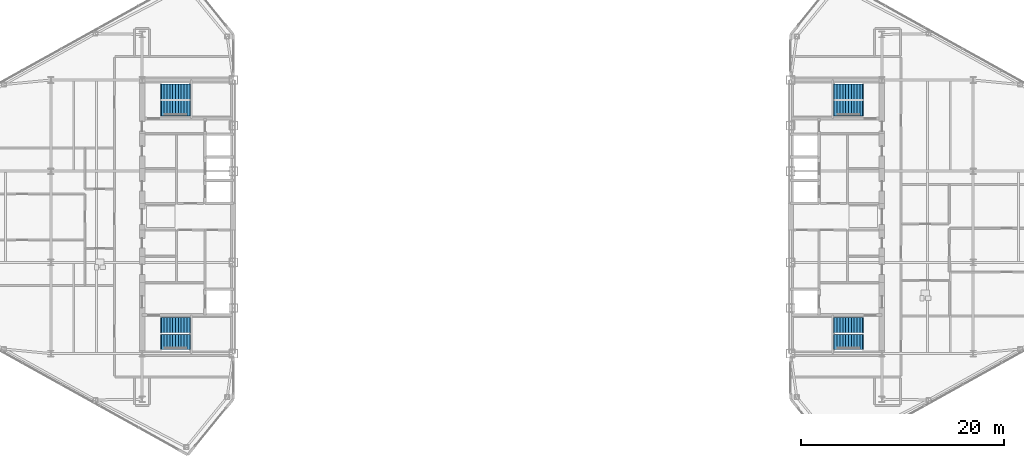
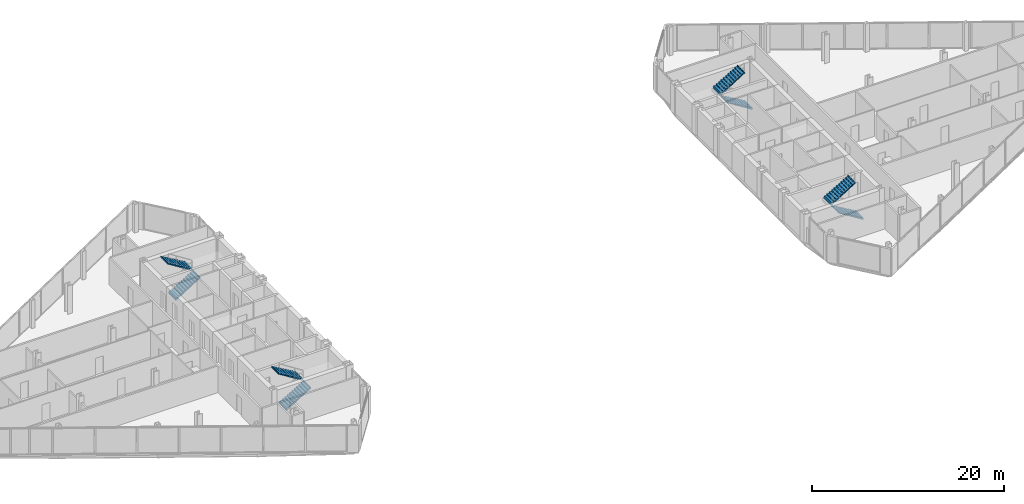
# One storey, part 24 of 26: 8 stair flights, 4 elements without a shape of their own.
"""IFC4 building model written with IfcOpenShell, lengths in metres."""

from ifc_helpers import new_model, si_unit, direction, frame, origin, place, context, subcontext, project, spatial, polyline, outline, extrude, material, type_object, element, aggregate, save


model = new_model("IFC4")

# Units and contexts
model_context = context("Model", 3, precision=1e-05, world=origin(), true_north=direction((0.0, 1.0)))
body_context = subcontext(model_context, "Body", "Model", "MODEL_VIEW")
ifc_project = project(units=[si_unit("LENGTHUNIT", "METRE"), si_unit("AREAUNIT", "SQUARE_METRE"), si_unit("VOLUMEUNIT", "CUBIC_METRE"), si_unit("PLANEANGLEUNIT", "RADIAN"), si_unit("MASSUNIT", "GRAM", prefix="KILO")], contexts=[model_context])

# Site, building, storey
site_placement = place(None, origin())
site = spatial("IfcSite", under=ifc_project, at=site_placement, CompositionType="ELEMENT")
building_placement = place(site_placement, origin())
building = spatial("IfcBuilding", under=site, at=building_placement, Name="Seokmaru Belvedere", CompositionType="ELEMENT")
storey_placement = place(building_placement, frame((0.0, 0.0, 192.300048828125)))
storey = spatial("IfcBuildingStorey", under=building, at=storey_placement, Name="L51", CompositionType="ELEMENT", Elevation=192.300048828125)

# Stair, stair flights
ifc_material = material(Name="Concrete C40 (40 MPa)", Category="concrete")
stair_type = type_object("IfcStairType", Name="Typical Tower Core Dog-Leg Stair 3600", PredefinedType="TWO_STRAIGHT_RUN_STAIR", material=ifc_material)
stair_1_placement = place(storey_placement, origin())
stair_1 = element("IfcStair", 1, at=stair_1_placement, inside=storey, type_object=stair_type, Name="L51 Special Escape Stair ST-W1", PredefinedType="TWO_STRAIGHT_RUN_STAIR")
stair_flight_type = type_object("IfcStairFlightType", Name="Reinforced Concrete Stair Flight 1500", PredefinedType="STRAIGHT", material=ifc_material)
stair_flight_1_placement = place(storey_placement, frame((-34.60009765625, -12.35009765625, 0.0), z_axis=(0.0, 0.0, 1.0), x_axis=(1.0, 0.0, 0.0)))
stair_flight_1 = element("IfcStairFlight", 2, at=stair_flight_1_placement, type_object=stair_flight_type, Name="ST-W1 flight 1", NumberOfRisers=11, NumberOfTreads=10, PredefinedType="STRAIGHT", RiserHeight=0.163636364, TreadLength=0.28, context=body_context, shape_type="SweptSolid", body=[
    extrude(outline(polyline([(-0.080078125, 0.0), (0.0, 0.16357421875), (0.280029296875, 0.16357421875), (0.280029296875, 0.327392578125), (0.56005859375, 0.327392578125), (0.56005859375, 0.490966796875), (0.840087890625, 0.490966796875), (0.840087890625, 0.654541015625), (1.1201171875, 0.654541015625), (1.1201171875, 0.818115234375), (1.39990234375, 0.818115234375), (1.39990234375, 0.98193359375), (1.679931640625, 0.98193359375), (1.679931640625, 1.1455078125), (1.9599609375, 1.1455078125), (1.9599609375, 1.30908203125), (2.239990234375, 1.30908203125), (2.239990234375, 1.47265625), (2.52001953125, 1.47265625), (2.52001953125, 1.636474609375), (2.800048828125, 1.636474609375), (2.800048828125, 1.800048828125), (2.8798828125, 1.800048828125), (2.8798828125, 1.610107421875), (2.800048828125, 1.610107421875), (0.0, -0.159912109375), (-0.080078125, -0.159912109375), (-0.080078125, 0.0)])), frame((0.0, 0.75, 0.0), z_axis=(0.0, -1.0, 0.0), x_axis=(1.0, 0.0, 0.0)), (0.0, 0.0, 1.0), 1.5),
])
stair_flight_2_placement = place(storey_placement, frame((-31.800048828125, -10.7099609375, 1.800048828125), z_axis=(0.0, 0.0, 1.0), x_axis=(-1.0, 0.0, 0.0)))
stair_flight_2 = element("IfcStairFlight", 3, at=stair_flight_2_placement, type_object=stair_flight_type, Name="ST-W1 flight 2", NumberOfRisers=11, NumberOfTreads=10, PredefinedType="STRAIGHT", RiserHeight=0.163636364, TreadLength=0.28, context=body_context, shape_type="SweptSolid", body=[
    extrude(outline(polyline([(-0.080078125, 0.0), (0.0, 0.16357421875), (0.280029296875, 0.16357421875), (0.280029296875, 0.327392578125), (0.56005859375, 0.327392578125), (0.56005859375, 0.490966796875), (0.840087890625, 0.490966796875), (0.840087890625, 0.654541015625), (1.1201171875, 0.654541015625), (1.1201171875, 0.818115234375), (1.39990234375, 0.818115234375), (1.39990234375, 0.98193359375), (1.679931640625, 0.98193359375), (1.679931640625, 1.1455078125), (1.9599609375, 1.1455078125), (1.9599609375, 1.30908203125), (2.239990234375, 1.30908203125), (2.239990234375, 1.47265625), (2.52001953125, 1.47265625), (2.52001953125, 1.636474609375), (2.800048828125, 1.636474609375), (2.800048828125, 1.800048828125), (2.8798828125, 1.800048828125), (2.8798828125, 1.610107421875), (2.800048828125, 1.610107421875), (0.0, -0.159912109375), (-0.080078125, -0.159912109375), (-0.080078125, 0.0)])), frame((0.0, 0.75, 0.0), z_axis=(0.0, -1.0, 0.0), x_axis=(1.0, 0.0, 0.0)), (0.0, 0.0, 1.0), 1.5),
])
aggregate(stair_1, [stair_flight_1, stair_flight_2])

stair_2_placement = place(storey_placement, origin())
stair_2 = element("IfcStair", 4, at=stair_2_placement, inside=storey, type_object=stair_type, Name="L51 Special Escape Stair ST-W2", PredefinedType="TWO_STRAIGHT_RUN_STAIR")
stair_flight_3_placement = place(storey_placement, frame((-34.60009765625, 10.7099609375, 0.0), z_axis=(0.0, 0.0, 1.0), x_axis=(1.0, 0.0, 0.0)))
stair_flight_3 = element("IfcStairFlight", 5, at=stair_flight_3_placement, type_object=stair_flight_type, Name="ST-W2 flight 1", NumberOfRisers=11, NumberOfTreads=10, PredefinedType="STRAIGHT", RiserHeight=0.163636364, TreadLength=0.28, context=body_context, shape_type="SweptSolid", body=[
    extrude(outline(polyline([(-0.080078125, 0.0), (0.0, 0.16357421875), (0.280029296875, 0.16357421875), (0.280029296875, 0.327392578125), (0.56005859375, 0.327392578125), (0.56005859375, 0.490966796875), (0.840087890625, 0.490966796875), (0.840087890625, 0.654541015625), (1.1201171875, 0.654541015625), (1.1201171875, 0.818115234375), (1.39990234375, 0.818115234375), (1.39990234375, 0.98193359375), (1.679931640625, 0.98193359375), (1.679931640625, 1.1455078125), (1.9599609375, 1.1455078125), (1.9599609375, 1.30908203125), (2.239990234375, 1.30908203125), (2.239990234375, 1.47265625), (2.52001953125, 1.47265625), (2.52001953125, 1.636474609375), (2.800048828125, 1.636474609375), (2.800048828125, 1.800048828125), (2.8798828125, 1.800048828125), (2.8798828125, 1.610107421875), (2.800048828125, 1.610107421875), (0.0, -0.159912109375), (-0.080078125, -0.159912109375), (-0.080078125, 0.0)])), frame((0.0, 0.75, 0.0), z_axis=(0.0, -1.0, 0.0), x_axis=(1.0, 0.0, 0.0)), (0.0, 0.0, 1.0), 1.5),
])
stair_flight_4_placement = place(storey_placement, frame((-31.800048828125, 12.35009765625, 1.800048828125), z_axis=(0.0, 0.0, 1.0), x_axis=(-1.0, 0.0, 0.0)))
stair_flight_4 = element("IfcStairFlight", 6, at=stair_flight_4_placement, type_object=stair_flight_type, Name="ST-W2 flight 2", NumberOfRisers=11, NumberOfTreads=10, PredefinedType="STRAIGHT", RiserHeight=0.163636364, TreadLength=0.28, context=body_context, shape_type="SweptSolid", body=[
    extrude(outline(polyline([(-0.080078125, 0.0), (0.0, 0.16357421875), (0.280029296875, 0.16357421875), (0.280029296875, 0.327392578125), (0.56005859375, 0.327392578125), (0.56005859375, 0.490966796875), (0.840087890625, 0.490966796875), (0.840087890625, 0.654541015625), (1.1201171875, 0.654541015625), (1.1201171875, 0.818115234375), (1.39990234375, 0.818115234375), (1.39990234375, 0.98193359375), (1.679931640625, 0.98193359375), (1.679931640625, 1.1455078125), (1.9599609375, 1.1455078125), (1.9599609375, 1.30908203125), (2.239990234375, 1.30908203125), (2.239990234375, 1.47265625), (2.52001953125, 1.47265625), (2.52001953125, 1.636474609375), (2.800048828125, 1.636474609375), (2.800048828125, 1.800048828125), (2.8798828125, 1.800048828125), (2.8798828125, 1.610107421875), (2.800048828125, 1.610107421875), (0.0, -0.159912109375), (-0.080078125, -0.159912109375), (-0.080078125, 0.0)])), frame((0.0, 0.75, 0.0), z_axis=(0.0, -1.0, 0.0), x_axis=(1.0, 0.0, 0.0)), (0.0, 0.0, 1.0), 1.5),
])
aggregate(stair_2, [stair_flight_3, stair_flight_4])

stair_3_placement = place(storey_placement, origin())
stair_3 = element("IfcStair", 7, at=stair_3_placement, inside=storey, type_object=stair_type, Name="L51 Special Escape Stair ST-E1", PredefinedType="TWO_STRAIGHT_RUN_STAIR")
stair_flight_5_placement = place(storey_placement, frame((34.60009765625, -12.35009765625, 0.0), z_axis=(0.0, 0.0, 1.0), x_axis=(-1.0, 0.0, 0.0)))
stair_flight_5 = element("IfcStairFlight", 8, at=stair_flight_5_placement, type_object=stair_flight_type, Name="ST-E1 flight 1", NumberOfRisers=11, NumberOfTreads=10, PredefinedType="STRAIGHT", RiserHeight=0.163636364, TreadLength=0.28, context=body_context, shape_type="SweptSolid", body=[
    extrude(outline(polyline([(-0.080078125, 0.0), (0.0, 0.16357421875), (0.280029296875, 0.16357421875), (0.280029296875, 0.327392578125), (0.56005859375, 0.327392578125), (0.56005859375, 0.490966796875), (0.840087890625, 0.490966796875), (0.840087890625, 0.654541015625), (1.1201171875, 0.654541015625), (1.1201171875, 0.818115234375), (1.39990234375, 0.818115234375), (1.39990234375, 0.98193359375), (1.679931640625, 0.98193359375), (1.679931640625, 1.1455078125), (1.9599609375, 1.1455078125), (1.9599609375, 1.30908203125), (2.239990234375, 1.30908203125), (2.239990234375, 1.47265625), (2.52001953125, 1.47265625), (2.52001953125, 1.636474609375), (2.800048828125, 1.636474609375), (2.800048828125, 1.800048828125), (2.8798828125, 1.800048828125), (2.8798828125, 1.610107421875), (2.800048828125, 1.610107421875), (0.0, -0.159912109375), (-0.080078125, -0.159912109375), (-0.080078125, 0.0)])), frame((0.0, 0.75, 0.0), z_axis=(0.0, -1.0, 0.0), x_axis=(1.0, 0.0, 0.0)), (0.0, 0.0, 1.0), 1.5),
])
stair_flight_6_placement = place(storey_placement, frame((31.800048828125, -10.7099609375, 1.800048828125), z_axis=(0.0, 0.0, 1.0), x_axis=(1.0, 0.0, 0.0)))
stair_flight_6 = element("IfcStairFlight", 9, at=stair_flight_6_placement, type_object=stair_flight_type, Name="ST-E1 flight 2", NumberOfRisers=11, NumberOfTreads=10, PredefinedType="STRAIGHT", RiserHeight=0.163636364, TreadLength=0.28, context=body_context, shape_type="SweptSolid", body=[
    extrude(outline(polyline([(-0.080078125, 0.0), (0.0, 0.16357421875), (0.280029296875, 0.16357421875), (0.280029296875, 0.327392578125), (0.56005859375, 0.327392578125), (0.56005859375, 0.490966796875), (0.840087890625, 0.490966796875), (0.840087890625, 0.654541015625), (1.1201171875, 0.654541015625), (1.1201171875, 0.818115234375), (1.39990234375, 0.818115234375), (1.39990234375, 0.98193359375), (1.679931640625, 0.98193359375), (1.679931640625, 1.1455078125), (1.9599609375, 1.1455078125), (1.9599609375, 1.30908203125), (2.239990234375, 1.30908203125), (2.239990234375, 1.47265625), (2.52001953125, 1.47265625), (2.52001953125, 1.636474609375), (2.800048828125, 1.636474609375), (2.800048828125, 1.800048828125), (2.8798828125, 1.800048828125), (2.8798828125, 1.610107421875), (2.800048828125, 1.610107421875), (0.0, -0.159912109375), (-0.080078125, -0.159912109375), (-0.080078125, 0.0)])), frame((0.0, 0.75, 0.0), z_axis=(0.0, -1.0, 0.0), x_axis=(1.0, 0.0, 0.0)), (0.0, 0.0, 1.0), 1.5),
])
aggregate(stair_3, [stair_flight_5, stair_flight_6])

stair_4_placement = place(storey_placement, origin())
stair_4 = element("IfcStair", 10, at=stair_4_placement, inside=storey, type_object=stair_type, Name="L51 Special Escape Stair ST-E2", PredefinedType="TWO_STRAIGHT_RUN_STAIR")
stair_flight_7_placement = place(storey_placement, frame((34.60009765625, 10.7099609375, 0.0), z_axis=(0.0, 0.0, 1.0), x_axis=(-1.0, 0.0, 0.0)))
stair_flight_7 = element("IfcStairFlight", 11, at=stair_flight_7_placement, type_object=stair_flight_type, Name="ST-E2 flight 1", NumberOfRisers=11, NumberOfTreads=10, PredefinedType="STRAIGHT", RiserHeight=0.163636364, TreadLength=0.28, context=body_context, shape_type="SweptSolid", body=[
    extrude(outline(polyline([(-0.080078125, 0.0), (0.0, 0.16357421875), (0.280029296875, 0.16357421875), (0.280029296875, 0.327392578125), (0.56005859375, 0.327392578125), (0.56005859375, 0.490966796875), (0.840087890625, 0.490966796875), (0.840087890625, 0.654541015625), (1.1201171875, 0.654541015625), (1.1201171875, 0.818115234375), (1.39990234375, 0.818115234375), (1.39990234375, 0.98193359375), (1.679931640625, 0.98193359375), (1.679931640625, 1.1455078125), (1.9599609375, 1.1455078125), (1.9599609375, 1.30908203125), (2.239990234375, 1.30908203125), (2.239990234375, 1.47265625), (2.52001953125, 1.47265625), (2.52001953125, 1.636474609375), (2.800048828125, 1.636474609375), (2.800048828125, 1.800048828125), (2.8798828125, 1.800048828125), (2.8798828125, 1.610107421875), (2.800048828125, 1.610107421875), (0.0, -0.159912109375), (-0.080078125, -0.159912109375), (-0.080078125, 0.0)])), frame((0.0, 0.75, 0.0), z_axis=(0.0, -1.0, 0.0), x_axis=(1.0, 0.0, 0.0)), (0.0, 0.0, 1.0), 1.5),
])
stair_flight_8_placement = place(storey_placement, frame((31.800048828125, 12.35009765625, 1.800048828125), z_axis=(0.0, 0.0, 1.0), x_axis=(1.0, 0.0, 0.0)))
stair_flight_8 = element("IfcStairFlight", 12, at=stair_flight_8_placement, type_object=stair_flight_type, Name="ST-E2 flight 2", NumberOfRisers=11, NumberOfTreads=10, PredefinedType="STRAIGHT", RiserHeight=0.163636364, TreadLength=0.28, context=body_context, shape_type="SweptSolid", body=[
    extrude(outline(polyline([(-0.080078125, 0.0), (0.0, 0.16357421875), (0.280029296875, 0.16357421875), (0.280029296875, 0.327392578125), (0.56005859375, 0.327392578125), (0.56005859375, 0.490966796875), (0.840087890625, 0.490966796875), (0.840087890625, 0.654541015625), (1.1201171875, 0.654541015625), (1.1201171875, 0.818115234375), (1.39990234375, 0.818115234375), (1.39990234375, 0.98193359375), (1.679931640625, 0.98193359375), (1.679931640625, 1.1455078125), (1.9599609375, 1.1455078125), (1.9599609375, 1.30908203125), (2.239990234375, 1.30908203125), (2.239990234375, 1.47265625), (2.52001953125, 1.47265625), (2.52001953125, 1.636474609375), (2.800048828125, 1.636474609375), (2.800048828125, 1.800048828125), (2.8798828125, 1.800048828125), (2.8798828125, 1.610107421875), (2.800048828125, 1.610107421875), (0.0, -0.159912109375), (-0.080078125, -0.159912109375), (-0.080078125, 0.0)])), frame((0.0, 0.75, 0.0), z_axis=(0.0, -1.0, 0.0), x_axis=(1.0, 0.0, 0.0)), (0.0, 0.0, 1.0), 1.5),
])
aggregate(stair_4, [stair_flight_7, stair_flight_8])

save(model, "model.ifc")
